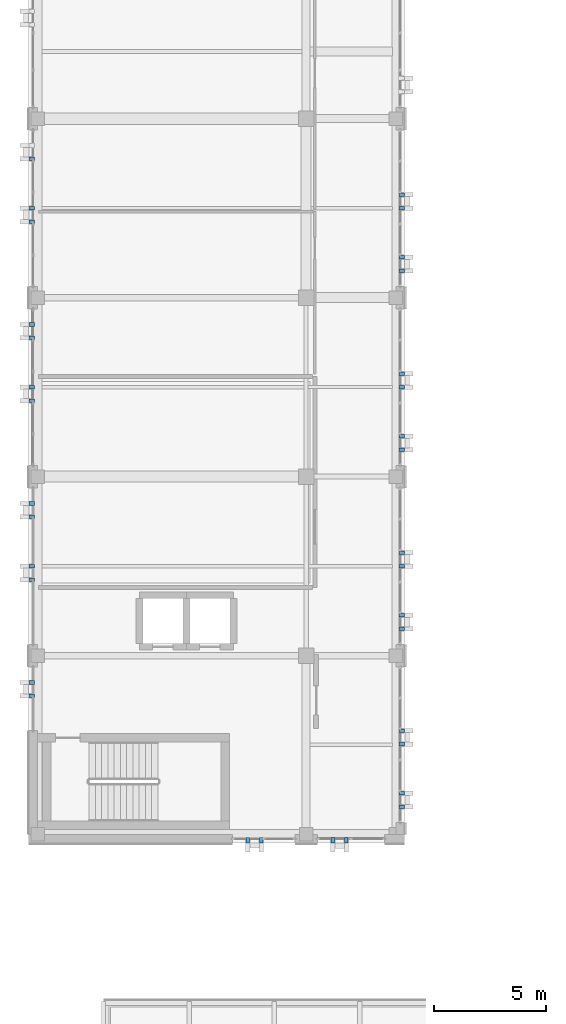
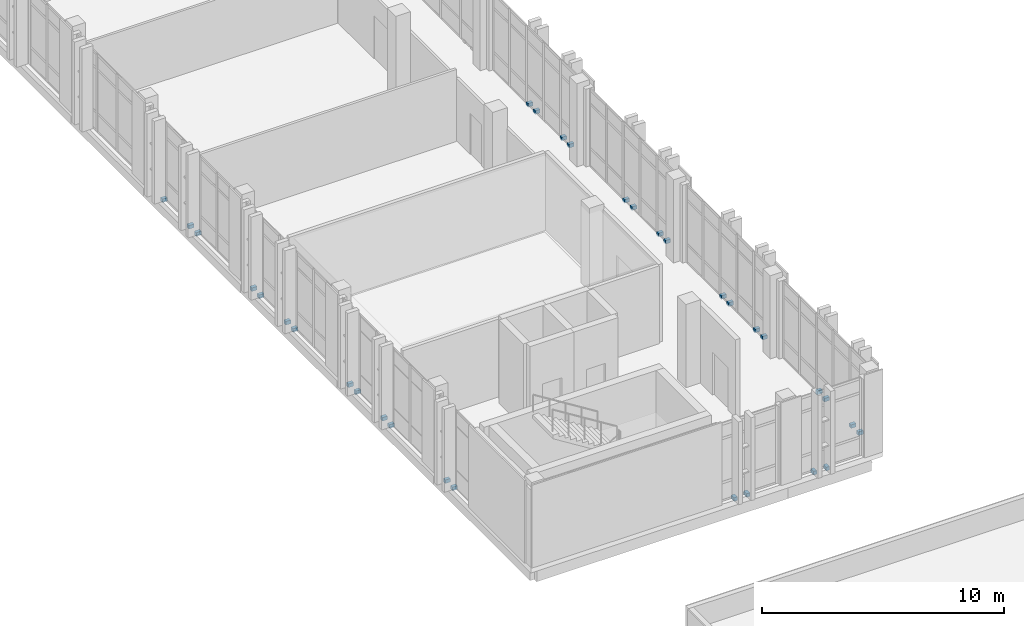
# One storey, part 74 of 90: 33 discrete accessories.
"""IFC4 building model written with IfcOpenShell, lengths in metres."""

from ifc_helpers import new_model, si_unit, direction, frame, origin, origin_2d, place, context, subcontext, project, spatial, rectangle, extrude, material, type_object, element, save


model = new_model("IFC4")

# Units and contexts
model_context = context("Model", 3, precision=1e-05, world=origin(), true_north=direction((0.0, 1.0)))
body_context = subcontext(model_context, "Body", "Model", "MODEL_VIEW")
ifc_project = project(units=[si_unit("LENGTHUNIT", "METRE"), si_unit("AREAUNIT", "SQUARE_METRE"), si_unit("VOLUMEUNIT", "CUBIC_METRE"), si_unit("PLANEANGLEUNIT", "RADIAN"), si_unit("MASSUNIT", "GRAM", prefix="KILO")], contexts=[model_context])

# Site, building, storey
site_placement = place(None, origin())
site = spatial("IfcSite", under=ifc_project, at=site_placement, CompositionType="ELEMENT")
building_placement = place(site_placement, origin())
building = spatial("IfcBuilding", under=site, at=building_placement, Name="Qalavern Law Courts", CompositionType="ELEMENT")
storey_placement = place(building_placement, frame((0.0, 0.0, 22.800048828125)))
storey = spatial("IfcBuildingStorey", under=building, at=storey_placement, Name="L05", CompositionType="ELEMENT", Elevation=22.800048828125)

# Discrete accessories
ifc_material = material(Name="Steel S355", Category="steel")
discrete_accessory_type = type_object("IfcDiscreteAccessoryType", Name="ENV-BRK-FIN", PredefinedType="BRACKET", material=ifc_material)
for number, where, z_axis, x_axis, name in (
    (1, (11.800048828125, 41.152587890625, -0.06982421875), (0.0, 0.0, 1.0), (0.0, -1.0, 0.0), "Stone blade anchor bracket 0405"),
    (2, (12.39990234375, 41.152587890625, -0.06982421875), (0.0, 0.0, 1.0), (0.0, -1.0, 0.0), "Stone blade anchor bracket 0406"),
    (3, (15.60009765625, 41.152587890625, -0.06982421875), (0.0, 0.0, 1.0), (0.0, -1.0, 0.0), "Stone blade anchor bracket 0407"),
    (4, (16.199951171875, 41.152587890625, -0.06982421875), (0.0, 0.0, 1.0), (0.0, -1.0, 0.0), "Stone blade anchor bracket 0408"),
    (5, (18.66748046875, 42.64990234375, -0.06982421875), (0.0, 0.0, 1.0), (1.0, 0.0, 0.0), "Stone blade anchor bracket 0409"),
    (6, (18.66748046875, 43.25, -0.06982421875), (0.0, 0.0, 1.0), (1.0, 0.0, 0.0), "Stone blade anchor bracket 0410"),
    (7, (18.66748046875, 45.449951171875, -0.06982421875), (0.0, 0.0, 1.0), (1.0, 0.0, 0.0), "Stone blade anchor bracket 0411"),
    (8, (18.66748046875, 46.050048828125, -0.06982421875), (0.0, 0.0, 1.0), (1.0, 0.0, 0.0), "Stone blade anchor bracket 0412"),
    (9, (18.66748046875, 50.60009765625, -0.06982421875), (0.0, 0.0, 1.0), (1.0, 0.0, 0.0), "Stone blade anchor bracket 0413"),
    (10, (18.66748046875, 51.199951171875, -0.06982421875), (0.0, 0.0, 1.0), (1.0, 0.0, 0.0), "Stone blade anchor bracket 0414"),
    (11, (18.66748046875, 53.39990234375, -0.06982421875), (0.0, 0.0, 1.0), (1.0, 0.0, 0.0), "Stone blade anchor bracket 0415"),
    (12, (18.66748046875, 54.0, -0.06982421875), (0.0, 0.0, 1.0), (1.0, 0.0, 0.0), "Stone blade anchor bracket 0416"),
    (13, (18.66748046875, 58.60009765625, -0.06982421875), (0.0, 0.0, 1.0), (1.0, 0.0, 0.0), "Stone blade anchor bracket 0417"),
    (14, (18.66748046875, 59.199951171875, -0.06982421875), (0.0, 0.0, 1.0), (1.0, 0.0, 0.0), "Stone blade anchor bracket 0418"),
    (15, (18.66748046875, 61.39990234375, -0.06982421875), (0.0, 0.0, 1.0), (1.0, 0.0, 0.0), "Stone blade anchor bracket 0419"),
    (16, (18.66748046875, 62.0, -0.06982421875), (0.0, 0.0, 1.0), (1.0, 0.0, 0.0), "Stone blade anchor bracket 0420"),
    (17, (18.66748046875, 66.60009765625, -0.06982421875), (0.0, 0.0, 1.0), (1.0, 0.0, 0.0), "Stone blade anchor bracket 0421"),
    (18, (18.66748046875, 67.199951171875, -0.06982421875), (0.0, 0.0, 1.0), (1.0, 0.0, 0.0), "Stone blade anchor bracket 0422"),
    (19, (18.66748046875, 69.39990234375, -0.06982421875), (0.0, 0.0, 1.0), (1.0, 0.0, 0.0), "Stone blade anchor bracket 0423"),
    (20, (18.66748046875, 70.0, -0.06982421875), (0.0, 0.0, 1.0), (1.0, 0.0, 0.0), "Stone blade anchor bracket 0424"),
    (21, (2.132568359375, 71.60009765625, -0.06982421875), (0.0, 0.0, 1.0), (-1.0, 0.0, 0.0), "Stone blade anchor bracket 0446"),
    (22, (2.132568359375, 69.39990234375, -0.06982421875), (0.0, 0.0, 1.0), (-1.0, 0.0, 0.0), "Stone blade anchor bracket 0447"),
    (23, (2.132568359375, 68.800048828125, -0.06982421875), (0.0, 0.0, 1.0), (-1.0, 0.0, 0.0), "Stone blade anchor bracket 0448"),
    (24, (2.132568359375, 64.199951171875, -0.06982421875), (0.0, 0.0, 1.0), (-1.0, 0.0, 0.0), "Stone blade anchor bracket 0449"),
    (25, (2.132568359375, 63.60009765625, -0.06982421875), (0.0, 0.0, 1.0), (-1.0, 0.0, 0.0), "Stone blade anchor bracket 0450"),
    (26, (2.132568359375, 61.39990234375, -0.06982421875), (0.0, 0.0, 1.0), (-1.0, 0.0, 0.0), "Stone blade anchor bracket 0451"),
    (27, (2.132568359375, 60.800048828125, -0.06982421875), (0.0, 0.0, 1.0), (-1.0, 0.0, 0.0), "Stone blade anchor bracket 0452"),
    (28, (2.132568359375, 56.199951171875, -0.06982421875), (0.0, 0.0, 1.0), (-1.0, 0.0, 0.0), "Stone blade anchor bracket 0453"),
    (29, (2.132568359375, 55.60009765625, -0.06982421875), (0.0, 0.0, 1.0), (-1.0, 0.0, 0.0), "Stone blade anchor bracket 0454"),
    (30, (2.132568359375, 53.39990234375, -0.06982421875), (0.0, 0.0, 1.0), (-1.0, 0.0, 0.0), "Stone blade anchor bracket 0455"),
    (31, (2.132568359375, 52.800048828125, -0.06982421875), (0.0, 0.0, 1.0), (-1.0, 0.0, 0.0), "Stone blade anchor bracket 0456"),
    (32, (2.132568359375, 48.199951171875, -0.06982421875), (0.0, 0.0, 1.0), (-1.0, 0.0, 0.0), "Stone blade anchor bracket 0457"),
    (33, (2.132568359375, 47.60009765625, -0.06982421875), (0.0, 0.0, 1.0), (-1.0, 0.0, 0.0), "Stone blade anchor bracket 0458"),
):
    element("IfcDiscreteAccessory", number, at=place(storey_placement, frame(where, z_axis=z_axis, x_axis=x_axis)), inside=storey, type_object=discrete_accessory_type, Name=name, PredefinedType="BRACKET", context=body_context, shape_type="SweptSolid", body=[
        extrude(rectangle(XDim=0.239990234375, YDim=0.159912109375, at=origin_2d()), origin(), (0.0, 0.0, 1.0), 0.179931640625),
    ])

save(model, "model.ifc")
